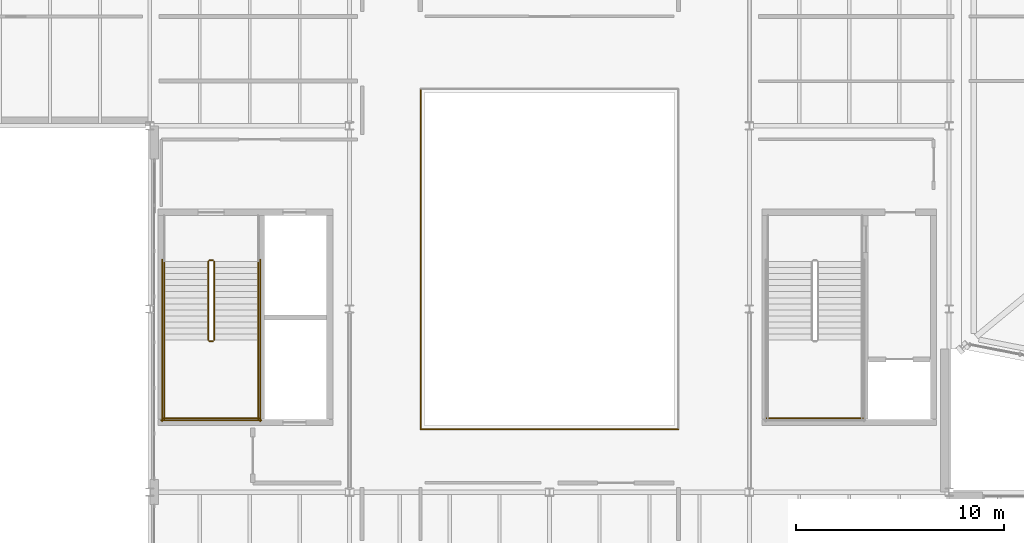
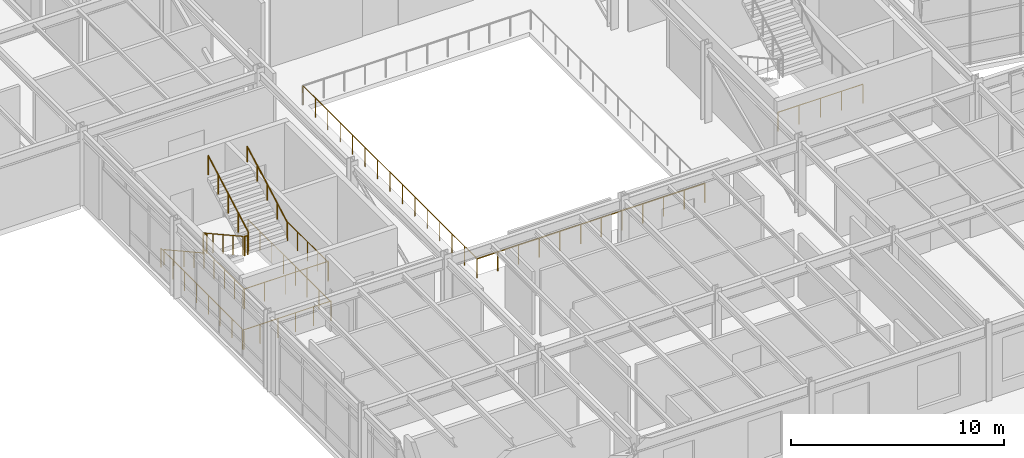
# One storey, part 80 of 88: 15 railings.
"""IFC4 building model written with IfcOpenShell, lengths in metres."""

from ifc_helpers import new_model, si_unit, direction, frame, origin, origin_2d, place, context, subcontext, project, spatial, circle, extrude, material, layer, layer_set, type_object, element, save


model = new_model("IFC4")

# Units and contexts
model_context = context("Model", 3, precision=1e-05, world=origin(), true_north=direction((0.0, 1.0)))
body_context = subcontext(model_context, "Body", "Model", "MODEL_VIEW")
ifc_project = project(units=[si_unit("LENGTHUNIT", "METRE"), si_unit("AREAUNIT", "SQUARE_METRE"), si_unit("VOLUMEUNIT", "CUBIC_METRE"), si_unit("PLANEANGLEUNIT", "RADIAN"), si_unit("MASSUNIT", "GRAM", prefix="KILO")], contexts=[model_context])

# Site, building, storey
site_placement = place(None, origin())
site = spatial("IfcSite", under=ifc_project, at=site_placement, CompositionType="ELEMENT")
building_placement = place(site_placement, origin())
building = spatial("IfcBuilding", under=site, at=building_placement, Name="Sarnbrook Museum", CompositionType="ELEMENT")
storey_placement = place(building_placement, frame((0.0, 0.0, 10.10009765625)))
storey = spatial("IfcBuildingStorey", under=building, at=storey_placement, Name="L02", CompositionType="ELEMENT", Elevation=10.10009765625)

# Railings
ifc_material = material(Name="Brushed Stainless Steel Grade 316", Category="steel")
ifc_layer_1 = layer(ifc_material, 0.050048828125)
ifc_layer_set_1 = layer_set([ifc_layer_1], Name="Brushed Stainless Steel Grade 316")
railing_type_1 = type_object("IfcRailingType", Name="Guard_Int1120", PredefinedType="BALUSTRADE", material=ifc_layer_set_1)
railing_1_placement = place(storey_placement, frame((110.43994140625, 60.35009765625, 2.25)))
element("IfcRailing", 1, at=railing_1_placement, inside=storey, type_object=railing_type_1, Name="L02 ST1 stair guard 5", PredefinedType="BALUSTRADE", context=body_context, shape_type="SweptSolid", body=[
    extrude(circle(Radius=0.02392578125, at=origin_2d()), frame((0.0, 0.0, 1.09619140625), z_axis=(1.0, 0.0, 0.0), x_axis=(0.0, 1.0, 0.0)), (0.0, 0.0, 1.0), 4.6201171875),
    extrude(circle(Radius=0.02099609375, at=origin_2d()), origin(), (0.0, 0.0, 1.0), 1.072021484375),
    extrude(circle(Radius=0.02099609375, at=origin_2d()), frame((1.155029296875, 0.0, 0.0)), (0.0, 0.0, 1.0), 1.072021484375),
    extrude(circle(Radius=0.02099609375, at=origin_2d()), frame((2.31005859375, 0.0, 0.0)), (0.0, 0.0, 1.0), 1.072021484375),
    extrude(circle(Radius=0.02099609375, at=origin_2d()), frame((3.465087890625, 0.0, 0.0)), (0.0, 0.0, 1.0), 1.072021484375),
    extrude(circle(Radius=0.02099609375, at=origin_2d()), frame((4.6201171875, 0.0, 0.0)), (0.0, 0.0, 1.0), 1.072021484375),
])
railing_2_placement = place(storey_placement, frame((83.610107421875, 67.8798828125, 0.16064453125)))
element("IfcRailing", 2, at=railing_2_placement, inside=storey, type_object=railing_type_1, Name="L02 ST3 stair guard 1", PredefinedType="BALUSTRADE", context=body_context, shape_type="SweptSolid", body=[
    extrude(circle(Radius=0.02392578125, at=origin_2d()), frame((0.0, 0.0, 1.09619140625), z_axis=(0.0, -0.874645791573, 0.484762559697), x_axis=(1.0, 0.0, 0.0)), (0.0, 0.0, 1.0), 4.31005859375),
    extrude(circle(Radius=0.02099609375, at=origin_2d()), origin(), (0.0, 0.0, 1.0), 1.072021484375),
    extrude(circle(Radius=0.02099609375, at=origin_2d()), frame((0.0, -0.9423828125, 0.5224609375)), (0.0, 0.0, 1.0), 1.072021484375),
    extrude(circle(Radius=0.02099609375, at=origin_2d()), frame((0.0, -1.884765625, 1.044677734375)), (0.0, 0.0, 1.0), 1.072021484375),
    extrude(circle(Radius=0.02099609375, at=origin_2d()), frame((0.0, -2.827392578125, 1.56689453125)), (0.0, 0.0, 1.0), 1.072021484375),
    extrude(circle(Radius=0.02099609375, at=origin_2d()), frame((0.0, -3.769775390625, 2.08935546875)), (0.0, 0.0, 1.0), 1.072021484375),
])
railing_3_placement = place(storey_placement, frame((83.659912109375, 64.06005859375, 2.25)))
element("IfcRailing", 3, at=railing_3_placement, inside=storey, type_object=railing_type_1, Name="L02 ST3 stair guard 2", PredefinedType="BALUSTRADE", context=body_context, shape_type="SweptSolid", body=[
    extrude(circle(Radius=0.02392578125, at=origin_2d()), frame((0.0, 0.0, 1.09619140625), z_axis=(1.0, 0.0, 0.0), x_axis=(0.0, 1.0, 0.0)), (0.0, 0.0, 1.0), 0.18017578125),
    extrude(circle(Radius=0.02099609375, at=origin_2d()), origin(), (0.0, 0.0, 1.0), 1.072021484375),
    extrude(circle(Radius=0.02099609375, at=origin_2d()), frame((0.18017578125, 0.0, 0.0)), (0.0, 0.0, 1.0), 1.072021484375),
])
for number, where, name in (
    (4, (81.489990234375, 64.110107421875, 2.25), "L02 ST3 stair guard 3"),
    (5, (86.010009765625, 64.110107421875, 2.25), "L02 ST3 stair guard 4"),
):
    element("IfcRailing", number, at=place(storey_placement, frame(where)), inside=storey, type_object=railing_type_1, Name=name, PredefinedType="BALUSTRADE", context=body_context, shape_type="SweptSolid", body=[
        extrude(circle(Radius=0.02392578125, at=origin_2d()), frame((0.0, 0.0, 1.09619140625), z_axis=(0.0, -1.0, 0.0), x_axis=(1.0, 0.0, 0.0)), (0.0, 0.0, 1.0), 3.81005859375),
        extrude(circle(Radius=0.02099609375, at=origin_2d()), origin(), (0.0, 0.0, 1.0), 1.072021484375),
        extrude(circle(Radius=0.02099609375, at=origin_2d()), frame((0.0, -0.95263671875, 0.0)), (0.0, 0.0, 1.0), 1.072021484375),
        extrude(circle(Radius=0.02099609375, at=origin_2d()), frame((0.0, -1.905029296875, 0.0)), (0.0, 0.0, 1.0), 1.072021484375),
        extrude(circle(Radius=0.02099609375, at=origin_2d()), frame((0.0, -2.857421875, 0.0)), (0.0, 0.0, 1.0), 1.072021484375),
        extrude(circle(Radius=0.02099609375, at=origin_2d()), frame((0.0, -3.81005859375, 0.0)), (0.0, 0.0, 1.0), 1.072021484375),
    ])
railing_4_placement = place(storey_placement, frame((81.43994140625, 60.35009765625, 2.25)))
element("IfcRailing", 6, at=railing_4_placement, inside=storey, type_object=railing_type_1, Name="L02 ST3 stair guard 5", PredefinedType="BALUSTRADE", context=body_context, shape_type="SweptSolid", body=[
    extrude(circle(Radius=0.02392578125, at=origin_2d()), frame((0.0, 0.0, 1.09619140625), z_axis=(1.0, 0.0, 0.0), x_axis=(0.0, 1.0, 0.0)), (0.0, 0.0, 1.0), 4.6201171875),
    extrude(circle(Radius=0.02099609375, at=origin_2d()), origin(), (0.0, 0.0, 1.0), 1.072021484375),
    extrude(circle(Radius=0.02099609375, at=origin_2d()), frame((1.155029296875, 0.0, 0.0)), (0.0, 0.0, 1.0), 1.072021484375),
    extrude(circle(Radius=0.02099609375, at=origin_2d()), frame((2.31005859375, 0.0, 0.0)), (0.0, 0.0, 1.0), 1.072021484375),
    extrude(circle(Radius=0.02099609375, at=origin_2d()), frame((3.465087890625, 0.0, 0.0)), (0.0, 0.0, 1.0), 1.072021484375),
    extrude(circle(Radius=0.02099609375, at=origin_2d()), frame((4.6201171875, 0.0, 0.0)), (0.0, 0.0, 1.0), 1.072021484375),
])
railing_5_placement = place(storey_placement, frame((83.889892578125, 64.110107421875, 2.41064453125)))
element("IfcRailing", 7, at=railing_5_placement, inside=storey, type_object=railing_type_1, Name="L02 ST3 stair guard 6", PredefinedType="BALUSTRADE", context=body_context, shape_type="SweptSolid", body=[
    extrude(circle(Radius=0.02392578125, at=origin_2d()), frame((0.0, 0.0, 1.09619140625), z_axis=(0.0, 0.874645791573, 0.484762559697), x_axis=(-1.0, 0.0, 0.0)), (0.0, 0.0, 1.0), 4.31005859375),
    extrude(circle(Radius=0.02099609375, at=origin_2d()), origin(), (0.0, 0.0, 1.0), 1.072021484375),
    extrude(circle(Radius=0.02099609375, at=origin_2d()), frame((0.0, 0.9423828125, 0.5224609375)), (0.0, 0.0, 1.0), 1.072021484375),
    extrude(circle(Radius=0.02099609375, at=origin_2d()), frame((0.0, 1.884765625, 1.044677734375)), (0.0, 0.0, 1.0), 1.072021484375),
    extrude(circle(Radius=0.02099609375, at=origin_2d()), frame((0.0, 2.827392578125, 1.56689453125)), (0.0, 0.0, 1.0), 1.072021484375),
    extrude(circle(Radius=0.02099609375, at=origin_2d()), frame((0.0, 3.769775390625, 2.08935546875)), (0.0, 0.0, 1.0), 1.072021484375),
])
railing_6_placement = place(storey_placement, frame((83.659912109375, 67.929931640625, 0.0)))
element("IfcRailing", 8, at=railing_6_placement, inside=storey, type_object=railing_type_1, Name="L02 ST3 stair guard 7", PredefinedType="BALUSTRADE", context=body_context, shape_type="SweptSolid", body=[
    extrude(circle(Radius=0.02392578125, at=origin_2d()), frame((0.0, 0.0, 1.09619140625), z_axis=(1.0, 0.0, 0.0), x_axis=(0.0, 1.0, 0.0)), (0.0, 0.0, 1.0), 0.18017578125),
    extrude(circle(Radius=0.02099609375, at=origin_2d()), origin(), (0.0, 0.0, 1.0), 1.072021484375),
    extrude(circle(Radius=0.02099609375, at=origin_2d()), frame((0.18017578125, 0.0, 0.0)), (0.0, 0.0, 1.0), 1.072021484375),
])
for number, where, name in (
    (9, (81.389892578125, 67.97998046875, 0.0), "L02 ST3 stair guard 10"),
    (10, (86.110107421875, 67.97998046875, 0.0), "L02 ST3 stair guard 11"),
):
    element("IfcRailing", number, at=place(storey_placement, frame(where)), inside=storey, type_object=railing_type_1, Name=name, PredefinedType="BALUSTRADE", context=body_context, shape_type="SweptSolid", body=[
        extrude(circle(Radius=0.02392578125, at=origin_2d()), frame((0.0, 0.0, 1.09619140625), z_axis=(0.0, -1.0, 0.0), x_axis=(1.0, 0.0, 0.0)), (0.0, 0.0, 1.0), 7.780029296875),
        extrude(circle(Radius=0.02099609375, at=origin_2d()), origin(), (0.0, 0.0, 1.0), 1.072021484375),
        extrude(circle(Radius=0.02099609375, at=origin_2d()), frame((0.0, -1.111328125, 0.0)), (0.0, 0.0, 1.0), 1.072021484375),
        extrude(circle(Radius=0.02099609375, at=origin_2d()), frame((0.0, -2.222900390625, 0.0)), (0.0, 0.0, 1.0), 1.072021484375),
        extrude(circle(Radius=0.02099609375, at=origin_2d()), frame((0.0, -3.334228515625, 0.0)), (0.0, 0.0, 1.0), 1.072021484375),
        extrude(circle(Radius=0.02099609375, at=origin_2d()), frame((0.0, -4.44580078125, 0.0)), (0.0, 0.0, 1.0), 1.072021484375),
        extrude(circle(Radius=0.02099609375, at=origin_2d()), frame((0.0, -5.55712890625, 0.0)), (0.0, 0.0, 1.0), 1.072021484375),
        extrude(circle(Radius=0.02099609375, at=origin_2d()), frame((0.0, -6.668701171875, 0.0)), (0.0, 0.0, 1.0), 1.072021484375),
        extrude(circle(Radius=0.02099609375, at=origin_2d()), frame((0.0, -7.780029296875, 0.0)), (0.0, 0.0, 1.0), 1.072021484375),
    ])
railing_7_placement = place(storey_placement, frame((81.340087890625, 60.25, 0.0)))
element("IfcRailing", 11, at=railing_7_placement, inside=storey, type_object=railing_type_1, Name="L02 ST3 stair guard 12", PredefinedType="BALUSTRADE", context=body_context, shape_type="SweptSolid", body=[
    extrude(circle(Radius=0.02392578125, at=origin_2d()), frame((0.0, 0.0, 1.09619140625), z_axis=(1.0, 0.0, 0.0), x_axis=(0.0, 1.0, 0.0)), (0.0, 0.0, 1.0), 4.81982421875),
    extrude(circle(Radius=0.02099609375, at=origin_2d()), origin(), (0.0, 0.0, 1.0), 1.072021484375),
    extrude(circle(Radius=0.02099609375, at=origin_2d()), frame((0.9638671875, 0.0, 0.0)), (0.0, 0.0, 1.0), 1.072021484375),
    extrude(circle(Radius=0.02099609375, at=origin_2d()), frame((1.927978515625, 0.0, 0.0)), (0.0, 0.0, 1.0), 1.072021484375),
    extrude(circle(Radius=0.02099609375, at=origin_2d()), frame((2.891845703125, 0.0, 0.0)), (0.0, 0.0, 1.0), 1.072021484375),
    extrude(circle(Radius=0.02099609375, at=origin_2d()), frame((3.85595703125, 0.0, 0.0)), (0.0, 0.0, 1.0), 1.072021484375),
    extrude(circle(Radius=0.02099609375, at=origin_2d()), frame((4.81982421875, 0.0, 0.0)), (0.0, 0.0, 1.0), 1.072021484375),
])
railing_8_placement = place(storey_placement, frame((93.820068359375, 59.820068359375, 0.0)))
element("IfcRailing", 12, at=railing_8_placement, inside=storey, type_object=railing_type_1, Name="Atrium Gallery Balustrade L02-1", PredefinedType="BALUSTRADE", context=body_context, shape_type="SweptSolid", body=[
    extrude(circle(Radius=0.02392578125, at=origin_2d()), frame((0.0, 0.0, 1.09619140625), z_axis=(1.0, 0.0, 0.0), x_axis=(0.0, 1.0, 0.0)), (0.0, 0.0, 1.0), 12.35986328125),
    extrude(circle(Radius=0.02099609375, at=origin_2d()), origin(), (0.0, 0.0, 1.0), 1.072021484375),
    extrude(circle(Radius=0.02099609375, at=origin_2d()), frame((1.12353515625, 0.0, 0.0)), (0.0, 0.0, 1.0), 1.072021484375),
    extrude(circle(Radius=0.02099609375, at=origin_2d()), frame((2.247314453125, 0.0, 0.0)), (0.0, 0.0, 1.0), 1.072021484375),
    extrude(circle(Radius=0.02099609375, at=origin_2d()), frame((3.370849609375, 0.0, 0.0)), (0.0, 0.0, 1.0), 1.072021484375),
    extrude(circle(Radius=0.02099609375, at=origin_2d()), frame((4.494384765625, 0.0, 0.0)), (0.0, 0.0, 1.0), 1.072021484375),
    extrude(circle(Radius=0.02099609375, at=origin_2d()), frame((5.6181640625, 0.0, 0.0)), (0.0, 0.0, 1.0), 1.072021484375),
    extrude(circle(Radius=0.02099609375, at=origin_2d()), frame((6.74169921875, 0.0, 0.0)), (0.0, 0.0, 1.0), 1.072021484375),
    extrude(circle(Radius=0.02099609375, at=origin_2d()), frame((7.865478515625, 0.0, 0.0)), (0.0, 0.0, 1.0), 1.072021484375),
    extrude(circle(Radius=0.02099609375, at=origin_2d()), frame((8.989013671875, 0.0, 0.0)), (0.0, 0.0, 1.0), 1.072021484375),
    extrude(circle(Radius=0.02099609375, at=origin_2d()), frame((10.112548828125, 0.0, 0.0)), (0.0, 0.0, 1.0), 1.072021484375),
    extrude(circle(Radius=0.02099609375, at=origin_2d()), frame((11.236328125, 0.0, 0.0)), (0.0, 0.0, 1.0), 1.072021484375),
    extrude(circle(Radius=0.02099609375, at=origin_2d()), frame((12.35986328125, 0.0, 0.0)), (0.0, 0.0, 1.0), 1.072021484375),
])
railing_9_placement = place(storey_placement, frame((93.820068359375, 76.179931640625, 0.0)))
element("IfcRailing", 13, at=railing_9_placement, inside=storey, type_object=railing_type_1, Name="Atrium Gallery Balustrade L02-4", PredefinedType="BALUSTRADE", context=body_context, shape_type="SweptSolid", body=[
    extrude(circle(Radius=0.02392578125, at=origin_2d()), frame((0.0, 0.0, 1.09619140625), z_axis=(0.0, -1.0, 0.0), x_axis=(1.0, 0.0, 0.0)), (0.0, 0.0, 1.0), 16.35986328125),
    extrude(circle(Radius=0.02099609375, at=origin_2d()), origin(), (0.0, 0.0, 1.0), 1.072021484375),
    extrude(circle(Radius=0.02099609375, at=origin_2d()), frame((0.0, -1.16845703125, 0.0)), (0.0, 0.0, 1.0), 1.072021484375),
    extrude(circle(Radius=0.02099609375, at=origin_2d()), frame((0.0, -2.337158203125, 0.0)), (0.0, 0.0, 1.0), 1.072021484375),
    extrude(circle(Radius=0.02099609375, at=origin_2d()), frame((0.0, -3.505615234375, 0.0)), (0.0, 0.0, 1.0), 1.072021484375),
    extrude(circle(Radius=0.02099609375, at=origin_2d()), frame((0.0, -4.67431640625, 0.0)), (0.0, 0.0, 1.0), 1.072021484375),
    extrude(circle(Radius=0.02099609375, at=origin_2d()), frame((0.0, -5.8427734375, 0.0)), (0.0, 0.0, 1.0), 1.072021484375),
    extrude(circle(Radius=0.02099609375, at=origin_2d()), frame((0.0, -7.011474609375, 0.0)), (0.0, 0.0, 1.0), 1.072021484375),
    extrude(circle(Radius=0.02099609375, at=origin_2d()), frame((0.0, -8.179931640625, 0.0)), (0.0, 0.0, 1.0), 1.072021484375),
    extrude(circle(Radius=0.02099609375, at=origin_2d()), frame((0.0, -9.348388671875, 0.0)), (0.0, 0.0, 1.0), 1.072021484375),
    extrude(circle(Radius=0.02099609375, at=origin_2d()), frame((0.0, -10.51708984375, 0.0)), (0.0, 0.0, 1.0), 1.072021484375),
    extrude(circle(Radius=0.02099609375, at=origin_2d()), frame((0.0, -11.685546875, 0.0)), (0.0, 0.0, 1.0), 1.072021484375),
    extrude(circle(Radius=0.02099609375, at=origin_2d()), frame((0.0, -12.854248046875, 0.0)), (0.0, 0.0, 1.0), 1.072021484375),
    extrude(circle(Radius=0.02099609375, at=origin_2d()), frame((0.0, -14.022705078125, 0.0)), (0.0, 0.0, 1.0), 1.072021484375),
    extrude(circle(Radius=0.02099609375, at=origin_2d()), frame((0.0, -15.19140625, 0.0)), (0.0, 0.0, 1.0), 1.072021484375),
    extrude(circle(Radius=0.02099609375, at=origin_2d()), frame((0.0, -16.35986328125, 0.0)), (0.0, 0.0, 1.0), 1.072021484375),
])
ifc_layer_2 = layer(ifc_material, 0.048095703125)
ifc_layer_set_2 = layer_set([ifc_layer_2], Name="Brushed Stainless Steel Grade 316")
railing_type_2 = type_object("IfcRailingType", Name="Handrail_920", PredefinedType="HANDRAIL", material=ifc_layer_set_2)
railing_10_placement = place(storey_placement, frame((81.489990234375, 67.8798828125, 0.16064453125)))
element("IfcRailing", 14, at=railing_10_placement, inside=storey, type_object=railing_type_2, Name="L02 ST3 stair handrail 1", PredefinedType="HANDRAIL", context=body_context, shape_type="SweptSolid", body=[
    extrude(circle(Radius=0.02392578125, at=origin_2d()), frame((0.0, 0.0, 0.8857421875), z_axis=(0.0, -0.874645791573, 0.484762559697), x_axis=(1.0, 0.0, 0.0)), (0.0, 0.0, 1.0), 4.31005859375),
    extrude(circle(Radius=0.02099609375, at=origin_2d()), origin(), (0.0, 0.0, 1.0), 0.86181640625),
    extrude(circle(Radius=0.02099609375, at=origin_2d()), frame((0.0, -0.9423828125, 0.5224609375)), (0.0, 0.0, 1.0), 0.86181640625),
    extrude(circle(Radius=0.02099609375, at=origin_2d()), frame((0.0, -1.884765625, 1.044677734375)), (0.0, 0.0, 1.0), 0.86181640625),
    extrude(circle(Radius=0.02099609375, at=origin_2d()), frame((0.0, -2.827392578125, 1.56689453125)), (0.0, 0.0, 1.0), 0.86181640625),
    extrude(circle(Radius=0.02099609375, at=origin_2d()), frame((0.0, -3.769775390625, 2.08935546875)), (0.0, 0.0, 1.0), 0.86181640625),
])
railing_11_placement = place(storey_placement, frame((86.010009765625, 64.110107421875, 2.41064453125)))
element("IfcRailing", 15, at=railing_11_placement, inside=storey, type_object=railing_type_2, Name="L02 ST3 stair handrail 2", PredefinedType="HANDRAIL", context=body_context, shape_type="SweptSolid", body=[
    extrude(circle(Radius=0.02392578125, at=origin_2d()), frame((0.0, 0.0, 0.8857421875), z_axis=(0.0, 0.874645791573, 0.484762559697), x_axis=(-1.0, 0.0, 0.0)), (0.0, 0.0, 1.0), 4.31005859375),
    extrude(circle(Radius=0.02099609375, at=origin_2d()), origin(), (0.0, 0.0, 1.0), 0.86181640625),
    extrude(circle(Radius=0.02099609375, at=origin_2d()), frame((0.0, 0.9423828125, 0.5224609375)), (0.0, 0.0, 1.0), 0.86181640625),
    extrude(circle(Radius=0.02099609375, at=origin_2d()), frame((0.0, 1.884765625, 1.044677734375)), (0.0, 0.0, 1.0), 0.86181640625),
    extrude(circle(Radius=0.02099609375, at=origin_2d()), frame((0.0, 2.827392578125, 1.56689453125)), (0.0, 0.0, 1.0), 0.86181640625),
    extrude(circle(Radius=0.02099609375, at=origin_2d()), frame((0.0, 3.769775390625, 2.08935546875)), (0.0, 0.0, 1.0), 0.86181640625),
])

save(model, "model.ifc")
